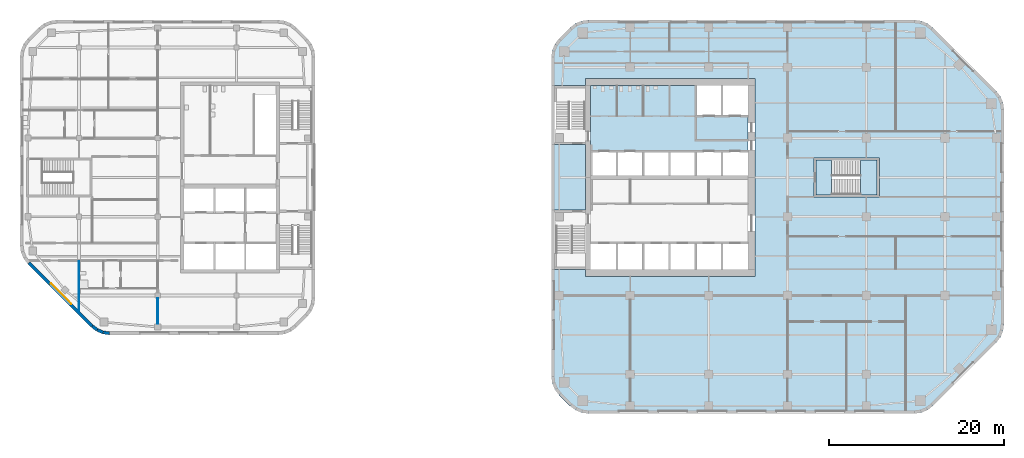
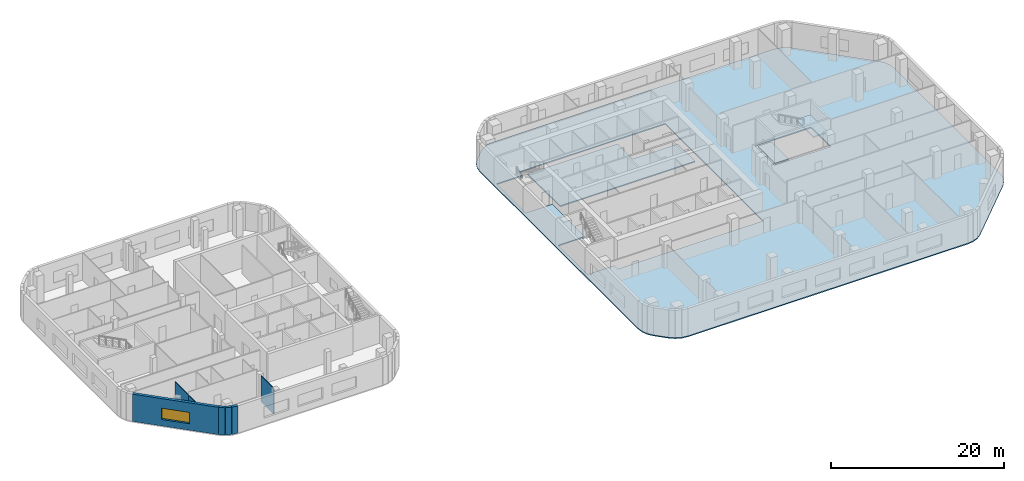
# One storey, part 4 of 14: 7 walls, 4 slabs, 1 window, 1 opening, 1 element without a shape of its own.
"""IFC4 building model written with IfcOpenShell, lengths in metres."""

from ifc_helpers import new_model, si_unit, direction, frame, frame_2d, origin, place, context, subcontext, project, spatial, polyline, rectangle, outline, extrude, material, layer, layer_set, type_object, element, fill, aggregate, save


model = new_model("IFC4")

# Units and contexts
model_context = context("Model", 3, precision=1e-05, world=origin(), true_north=direction((0.0, 1.0)))
body_context = subcontext(model_context, "Body", "Model", "MODEL_VIEW")
ifc_project = project(units=[si_unit("LENGTHUNIT", "METRE"), si_unit("AREAUNIT", "SQUARE_METRE"), si_unit("VOLUMEUNIT", "CUBIC_METRE"), si_unit("PLANEANGLEUNIT", "RADIAN"), si_unit("MASSUNIT", "GRAM", prefix="KILO")], contexts=[model_context])

# Site, building, storey
site_placement = place(None, origin())
site = spatial("IfcSite", under=ifc_project, at=site_placement, CompositionType="ELEMENT")
building_placement = place(site_placement, origin())
building = spatial("IfcBuilding", under=site, at=building_placement, Name="Cinnabar Reach Civic Tower", CompositionType="ELEMENT")
storey_placement = place(building_placement, frame((0.0, 0.0, 116.0)))
storey = spatial("IfcBuildingStorey", under=building, at=storey_placement, Name="L27", CompositionType="ELEMENT", Elevation=116.0)

# Slab
ifc_material_1 = material(Name="Concrete C40", Category="concrete")
ifc_layer_1 = layer(ifc_material_1, 0.15)
ifc_layer_set_1 = layer_set([ifc_layer_1], Name="Composite floor slab 150 REI 150")
slab_type_1 = type_object("IfcSlabType", Name="Composite floor slab 150 REI 150", PredefinedType="FLOOR", material=ifc_layer_set_1)
slab_1_placement = place(storey_placement, frame((0.0, 0.0, -0.15)))
element("IfcSlab", 1, at=slab_1_placement, inside=storey, type_object=slab_type_1, Name="Composite floor slab 150 T1 L27", PredefinedType="FLOOR", context=body_context, shape_type="SweptSolid", body=[
    extrude(outline(polyline([(0.8787, 6.6213), (0.4019, 7.2426), (0.1022, 7.9662), (0.0, 8.7426), (0.0, 45.2574), (0.1022, 46.0338), (0.4019, 46.7574), (0.8787, 47.3787), (2.1213, 48.6213), (2.7426, 49.0981), (3.4662, 49.3978), (4.2426, 49.5), (41.5074, 49.5), (42.2838, 49.3978), (43.0074, 49.0981), (43.6287, 48.6213), (50.8713, 41.3787), (51.3481, 40.7574), (51.6478, 40.0338), (51.75, 39.2574), (51.75, 14.7426), (51.6478, 13.9662), (51.3481, 13.2426), (50.8713, 12.6213), (43.6287, 5.3787), (43.0074, 4.9019), (42.2838, 4.6022), (41.5074, 4.5), (4.2426, 4.5), (3.4662, 4.6022), (2.7426, 4.9019), (2.1213, 5.3787), (0.8787, 6.6213)]), holes=[polyline([(0.36, 21.0), (3.9, 21.0), (3.9, 20.2), (23.3, 20.2), (23.3, 42.8), (3.9, 42.8), (3.9, 42.0), (0.36, 42.0), (0.36, 35.25), (3.9, 35.25), (3.9, 27.75), (0.36, 27.75), (0.36, 21.0)]), polyline([(30.0, 33.75), (30.0, 29.25), (37.5, 29.25), (37.5, 33.75), (30.0, 33.75)])]), origin(), (0.0, 0.0, 1.0), 0.15),
])

# Stair, slabs
ifc_material_2 = material(Name="Concrete C40/50", Category="concrete")
stair_type = type_object("IfcStairType", Name="T1 Exit stair, half-turn", PredefinedType="HALF_TURN_STAIR", material=ifc_material_2)
stair_placement = place(storey_placement, origin())
stair = element("IfcStair", 2, at=stair_placement, inside=storey, type_object=stair_type, Name="Stair T1-S3", PredefinedType="HALF_TURN_STAIR")
ifc_layer_2 = layer(ifc_material_2, 0.2)
ifc_layer_set_2 = layer_set([ifc_layer_2], Name="T1 Stair landing 200, Concrete C40/50")
slab_type_2 = type_object("IfcSlabType", Name="T1 Stair landing 200, Concrete C40/50", PredefinedType="LANDING", material=ifc_layer_set_2)
slab_2_placement = place(storey_placement, frame((0.0, 0.0, -0.2)))
slab_2 = element("IfcSlab", 3, at=slab_2_placement, type_object=slab_type_2, Name="T1-S3 landing 1", PredefinedType="LANDING", context=body_context, shape_type="SweptSolid", body=[
    extrude(outline(polyline([(30.25, 29.5), (32.05, 29.5), (32.05, 33.5), (30.25, 33.5), (30.25, 29.5)])), origin(), (0.0, 0.0, 1.0), 0.2),
])
slab_3_placement = place(storey_placement, frame((0.0, 0.0, 1.8)))
slab_3 = element("IfcSlab", 4, at=slab_3_placement, type_object=slab_type_2, Name="T1-S3 landing 2", PredefinedType="LANDING", context=body_context, shape_type="SweptSolid", body=[
    extrude(outline(polyline([(35.35, 29.5), (37.25, 29.5), (37.25, 33.5), (35.35, 33.5), (35.35, 29.5)])), origin(), (0.0, 0.0, 1.0), 0.2),
])
aggregate(stair, [slab_2, slab_3])

# Slab
ifc_layer_3 = layer(ifc_material_2, 0.15)
ifc_layer_set_3 = layer_set([ifc_layer_3], Name="T1 core floor slab 150")
slab_type_3 = type_object("IfcSlabType", Name="T1 core floor slab 150", PredefinedType="FLOOR", material=ifc_layer_set_3)
slab_4_placement = place(storey_placement, frame((0.0, 0.0, -0.15)))
element("IfcSlab", 5, at=slab_4_placement, inside=storey, type_object=slab_type_3, Name="Core floor slab L27", PredefinedType="FLOOR", context=body_context, shape_type="SweptSolid", body=[
    extrude(outline(polyline([(22.5, 34.5), (19.5, 34.5), (16.5, 34.5), (13.5, 34.5), (10.5, 34.5), (7.5, 34.5), (4.5, 34.5), (4.5, 42.0), (16.5, 42.0), (16.5, 38.5), (19.5, 38.5), (22.5, 38.5), (22.5, 34.5)])), origin(), (0.0, 0.0, 1.0), 0.15),
])

# Walls
ifc_material_3 = material(Name="Facing brick with insulated backing", Category="masonry")
ifc_layer_4 = layer(ifc_material_3, 0.36)
ifc_layer_set_4 = layer_set([ifc_layer_4], Name="Brick corner wall")
wall_type_1 = type_object("IfcWallType", Name="Brick corner wall", PredefinedType="STANDARD", material=ifc_layer_set_4)
wall_1_placement = place(storey_placement, frame((-52.4913, 14.5002, 0.0), z_axis=(0.0, 0.0, 1.0), x_axis=(0.793321924995, -0.608802368033, 0.0)))
element("IfcWall", 6, at=wall_1_placement, inside=storey, type_object=wall_type_1, Name="Brick corner wall", PredefinedType="STANDARD", context=body_context, shape_type="SweptSolid", body=[
    extrude(rectangle(XDim=0.7132, YDim=0.36, at=frame_2d((0.3566, 0.0))), origin(), (0.0, 0.0, 1.0), 3.85),
])
for number, where, z_axis, x_axis, name in (
    (7, (-51.9061, 14.0548, 0.0), (0.0, 0.0, 1.0), (0.923871547278, -0.382702709855, 0.0), "Brick corner wall"),
    (8, (-51.2256, 13.7761, 0.0), (0.0, 0.0, 1.0), (0.99144092581, -0.13055608231, 0.0), "Brick corner wall"),
):
    element("IfcWall", number, at=place(storey_placement, frame(where, z_axis=z_axis, x_axis=x_axis)), inside=storey, type_object=wall_type_1, Name=name, PredefinedType="STANDARD", context=body_context, shape_type="SweptSolid", body=[
        extrude(rectangle(XDim=0.7131, YDim=0.36, at=frame_2d((0.3565, 0.0))), origin(), (0.0, 0.0, 1.0), 3.85),
    ])

# Wall, opening, window
ifc_layer_5 = layer(ifc_material_3, 0.36)
ifc_layer_set_5 = layer_set([ifc_layer_5], Name="Brick pier and spandrel wall")
wall_type_2 = type_object("IfcWallType", Name="Brick pier and spandrel wall", PredefinedType="STANDARD", material=ifc_layer_set_5)
wall_2_placement = place(storey_placement, frame((-59.744, 21.7486, 0.0), z_axis=(0.0, 0.0, 1.0), x_axis=(0.707106781187, -0.707106781187, 0.0)))
wall_2 = element("IfcWall", 9, at=wall_2_placement, inside=storey, type_object=wall_type_2, Name="Brick facade wall", PredefinedType="STANDARD", context=body_context, shape_type="SweptSolid", body=[
    extrude(rectangle(XDim=10.2426, YDim=0.36, at=frame_2d((5.1213, 0.0))), origin(), (0.0, 0.0, 1.0), 3.85),
])
opening_placement = place(wall_2_placement, frame((3.4713, 0.0, 0.9)))
opening = element("IfcOpeningElement", 10, at=opening_placement, cuts=wall_2, Name="Opening W2736", PredefinedType="OPENING", context=body_context, shape_type="SweptSolid", body=[
    extrude(rectangle(XDim=3.3, YDim=1.6, at=frame_2d((1.65, 0.8))), frame((0.0, 0.19, 0.0), z_axis=(0.0, -1.0, 0.0), x_axis=(1.0, 0.0, 0.0)), (0.0, 0.0, 1.0), 0.38),
])
ifc_material_4 = material(Name="Clear double glazing in aluminium frame", Category="aluminium")
window_type = type_object("IfcWindowType", Name="Deep-set window A", PartitioningType="SINGLE_PANEL", PredefinedType="WINDOW", material=ifc_material_4)
window_placement = place(opening_placement, origin())
window = element("IfcWindow", 11, at=window_placement, inside=storey, type_object=window_type, Name="Window southwest face", OverallHeight=1.6, OverallWidth=3.3, PartitioningType="SINGLE_PANEL", PredefinedType="WINDOW", context=body_context, shape_type="SweptSolid", body=[
    extrude(rectangle(XDim=3.3, YDim=1.6, at=frame_2d((1.65, 0.8))), frame((0.0, 0.13, 0.0), z_axis=(0.0, -1.0, 0.0), x_axis=(1.0, 0.0, 0.0)), (0.0, 0.0, 1.0), 0.06),
])
fill(opening, window)

# Walls
ifc_material_5 = material(Name="Gypsum board on steel studs", Category="steel")
ifc_layer_6 = layer(ifc_material_5, 0.1)
ifc_layer_set_6 = layer_set([ifc_layer_6], Name="Partition wall 100 T2")
wall_type_3 = type_object("IfcWallType", Name="Partition wall 100 T2", PredefinedType="PARTITIONING", material=ifc_layer_set_6)
wall_3_placement = place(storey_placement, frame((-45.0, 14.75, 0.0), z_axis=(0.0, 0.0, 1.0), x_axis=(0.0, 1.0, 0.0)))
element("IfcWall", 12, at=wall_3_placement, inside=storey, type_object=wall_type_3, Name="Partition wall 20", PredefinedType="PARTITIONING", context=body_context, shape_type="SweptSolid", body=[
    extrude(rectangle(XDim=2.95, YDim=0.1, at=frame_2d((1.475, 0.0))), origin(), (0.0, 0.0, 1.0), 3.652),
])
wall_4_placement = place(storey_placement, frame((-54.0, 18.85, 0.0), z_axis=(0.0, 0.0, 1.0), x_axis=(0.0, 1.0, 0.0)))
element("IfcWall", 13, at=wall_4_placement, inside=storey, type_object=wall_type_3, Name="Partition wall 22", PredefinedType="PARTITIONING", context=body_context, shape_type="SweptSolid", body=[
    extrude(rectangle(XDim=3.075, YDim=0.1, at=frame_2d((1.5375, 0.0))), origin(), (0.0, 0.0, 1.0), 3.362),
])
wall_5_placement = place(storey_placement, frame((-54.0, 16.2591, 0.0), z_axis=(0.0, 0.0, 1.0), x_axis=(0.0, 1.0, 0.0)))
element("IfcWall", 14, at=wall_5_placement, inside=storey, type_object=wall_type_3, Name="Partition wall 23", PredefinedType="PARTITIONING", context=body_context, shape_type="SweptSolid", body=[
    extrude(rectangle(XDim=2.4909, YDim=0.1, at=frame_2d((1.2454, 0.0))), origin(), (0.0, 0.0, 1.0), 3.362),
])

save(model, "model.ifc")
